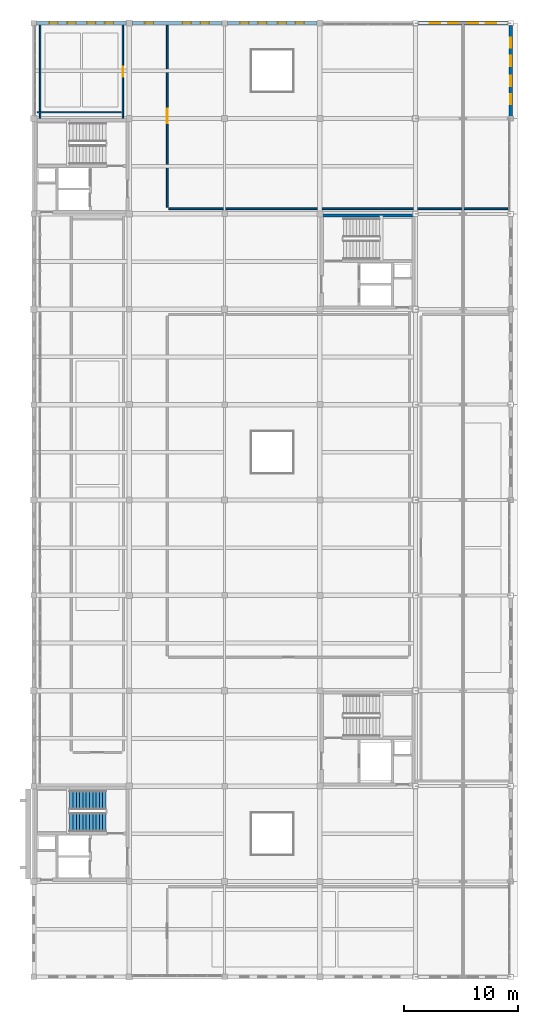
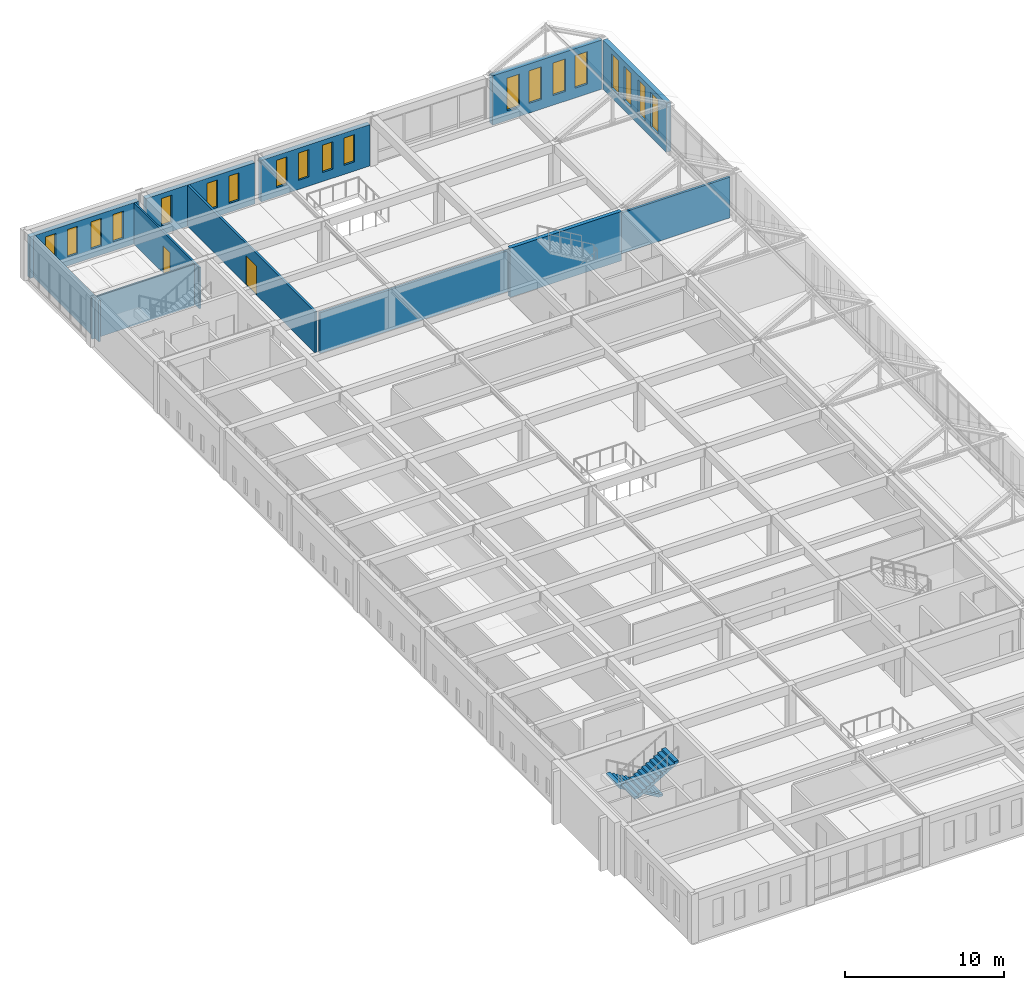
# One storey, part 32 of 36: 19 windows, 11 walls, 2 doors, 2 stair flights, 21 openings, 1 element without a shape of its own.
"""IFC4 building model written with IfcOpenShell, lengths in metres."""

from ifc_helpers import new_model, si_unit, direction, frame, frame_2d, origin, place, context, subcontext, project, spatial, polyline, rectangle, outline, extrude, material, layer, layer_set, type_object, element, fill, aggregate, save


model = new_model("IFC4")

# Units and contexts
model_context = context("Model", 3, precision=1e-05, world=origin(), true_north=direction((0.0, 1.0)))
body_context = subcontext(model_context, "Body", "Model", "MODEL_VIEW")
ifc_project = project(units=[si_unit("LENGTHUNIT", "METRE"), si_unit("AREAUNIT", "SQUARE_METRE"), si_unit("VOLUMEUNIT", "CUBIC_METRE"), si_unit("PLANEANGLEUNIT", "RADIAN"), si_unit("MASSUNIT", "GRAM", prefix="KILO")], contexts=[model_context])

# Site, building, storey
site_placement = place(None, origin())
site = spatial("IfcSite", under=ifc_project, at=site_placement, CompositionType="ELEMENT")
building_placement = place(site_placement, origin())
building = spatial("IfcBuilding", under=site, at=building_placement, Name="Kveldsbrygga Polytechnic", CompositionType="ELEMENT")
storey_placement = place(building_placement, frame((0.0, 0.0, 22.10009765625)))
storey = spatial("IfcBuildingStorey", under=building, at=storey_placement, Name="L05", CompositionType="ELEMENT", Elevation=22.10009765625)

# Wall, openings, windows
ifc_material_1 = material(Name="Fired clay brick masonry M10", Category="masonry")
ifc_layer_1 = layer(ifc_material_1, 0.340087890625)
ifc_layer_set_1 = layer_set([ifc_layer_1], Name="Fired clay brick masonry M10")
wall_type_1 = type_object("IfcWallType", Name="EW-BRICK-340", PredefinedType="SOLIDWALL", material=ifc_layer_set_1)
wall_1_placement = place(storey_placement, frame((126.235107421875, 100.800048828125, 0.0), z_axis=(0.0, 0.0, 1.0), x_axis=(1.0, 0.0, 0.0)))
wall_1 = element("IfcWall", 1, at=wall_1_placement, inside=storey, type_object=wall_type_1, Name="Exterior Brick Wall EW-L05-X-15-12", PredefinedType="SOLIDWALL", context=body_context, shape_type="SweptSolid", body=[
    extrude(rectangle(XDim=7.90478515625, YDim=0.340087890625, at=frame_2d((3.952392578125, 0.0))), origin(), (0.0, 0.0, 1.0), 3.179931640625),
])
opening_1_placement = place(wall_1_placement, frame((1.126953125, 0.0, 0.699951171875)))
opening_1 = element("IfcOpeningElement", 2, at=opening_1_placement, cuts=wall_1, Name="Opening W-27", PredefinedType="OPENING", context=body_context, shape_type="SweptSolid", body=[
    extrude(rectangle(XDim=0.75, YDim=2.10009765625, at=frame_2d((0.375, 1.050048828125))), frame((0.0, 0.18017578125, 0.0), z_axis=(0.0, -1.0, 0.0), x_axis=(1.0, 0.0, 0.0)), (0.0, 0.0, 1.0), 0.360107421875),
])
opening_2_placement = place(wall_1_placement, frame((2.7080078125, 0.0, 0.699951171875)))
opening_2 = element("IfcOpeningElement", 3, at=opening_2_placement, cuts=wall_1, Name="Opening W-27", PredefinedType="OPENING", context=body_context, shape_type="SweptSolid", body=[
    extrude(rectangle(XDim=0.75, YDim=2.10009765625, at=frame_2d((0.375, 1.050048828125))), frame((0.0, 0.18017578125, 0.0), z_axis=(0.0, -1.0, 0.0), x_axis=(1.0, 0.0, 0.0)), (0.0, 0.0, 1.0), 0.360107421875),
])
opening_3_placement = place(wall_1_placement, frame((4.447021484375, 0.0, 0.699951171875)))
opening_3 = element("IfcOpeningElement", 4, at=opening_3_placement, cuts=wall_1, Name="Opening W-27", PredefinedType="OPENING", context=body_context, shape_type="SweptSolid", body=[
    extrude(rectangle(XDim=0.75, YDim=2.10009765625, at=frame_2d((0.375, 1.050048828125))), frame((0.0, 0.18017578125, 0.0), z_axis=(0.0, -1.0, 0.0), x_axis=(1.0, 0.0, 0.0)), (0.0, 0.0, 1.0), 0.360107421875),
])
opening_4_placement = place(wall_1_placement, frame((6.028076171875, 0.0, 0.699951171875)))
opening_4 = element("IfcOpeningElement", 5, at=opening_4_placement, cuts=wall_1, Name="Opening W-27", PredefinedType="OPENING", context=body_context, shape_type="SweptSolid", body=[
    extrude(rectangle(XDim=0.75, YDim=2.10009765625, at=frame_2d((0.375, 1.050048828125))), frame((0.0, 0.18017578125, 0.0), z_axis=(0.0, -1.0, 0.0), x_axis=(1.0, 0.0, 0.0)), (0.0, 0.0, 1.0), 0.360107421875),
])
ifc_material_2 = material(Name="Insulated triple low-E glass", Category="glass")
window_type_1 = type_object("IfcWindowType", Name="WN-ATTIC-075x210", PartitioningType="DOUBLE_PANEL_VERTICAL", PredefinedType="WINDOW", material=ifc_material_2)
window_1_placement = place(opening_1_placement, origin())
window_1 = element("IfcWindow", 6, at=window_1_placement, inside=storey, type_object=window_type_1, Name="Gothic Lancet Window WIN-L05-X-15-12-1", OverallHeight=2.10009765625, OverallWidth=0.75, PartitioningType="DOUBLE_PANEL_VERTICAL", PredefinedType="WINDOW", context=body_context, shape_type="SweptSolid", body=[
    extrude(rectangle(XDim=0.75, YDim=2.10009765625, at=frame_2d((0.375, 1.050048828125))), frame((0.0, 0.030029296875, 0.0), z_axis=(0.0, -1.0, 0.0), x_axis=(1.0, 0.0, 0.0)), (0.0, 0.0, 1.0), 0.06005859375),
])
fill(opening_1, window_1)
window_2_placement = place(opening_2_placement, origin())
window_2 = element("IfcWindow", 7, at=window_2_placement, inside=storey, type_object=window_type_1, Name="Gothic Lancet Window WIN-L05-X-15-12-2", OverallHeight=2.10009765625, OverallWidth=0.75, PartitioningType="DOUBLE_PANEL_VERTICAL", PredefinedType="WINDOW", context=body_context, shape_type="SweptSolid", body=[
    extrude(rectangle(XDim=0.75, YDim=2.10009765625, at=frame_2d((0.375, 1.050048828125))), frame((0.0, 0.030029296875, 0.0), z_axis=(0.0, -1.0, 0.0), x_axis=(1.0, 0.0, 0.0)), (0.0, 0.0, 1.0), 0.06005859375),
])
fill(opening_2, window_2)
window_3_placement = place(opening_3_placement, origin())
window_3 = element("IfcWindow", 8, at=window_3_placement, inside=storey, type_object=window_type_1, Name="Gothic Lancet Window WIN-L05-X-15-12-3", OverallHeight=2.10009765625, OverallWidth=0.75, PartitioningType="DOUBLE_PANEL_VERTICAL", PredefinedType="WINDOW", context=body_context, shape_type="SweptSolid", body=[
    extrude(rectangle(XDim=0.75, YDim=2.10009765625, at=frame_2d((0.375, 1.050048828125))), frame((0.0, 0.030029296875, 0.0), z_axis=(0.0, -1.0, 0.0), x_axis=(1.0, 0.0, 0.0)), (0.0, 0.0, 1.0), 0.06005859375),
])
fill(opening_3, window_3)
window_4_placement = place(opening_4_placement, origin())
window_4 = element("IfcWindow", 9, at=window_4_placement, inside=storey, type_object=window_type_1, Name="Gothic Lancet Window WIN-L05-X-15-12-4", OverallHeight=2.10009765625, OverallWidth=0.75, PartitioningType="DOUBLE_PANEL_VERTICAL", PredefinedType="WINDOW", context=body_context, shape_type="SweptSolid", body=[
    extrude(rectangle(XDim=0.75, YDim=2.10009765625, at=frame_2d((0.375, 1.050048828125))), frame((0.0, 0.030029296875, 0.0), z_axis=(0.0, -1.0, 0.0), x_axis=(1.0, 0.0, 0.0)), (0.0, 0.0, 1.0), 0.06005859375),
])
fill(opening_4, window_4)

wall_2_placement = place(storey_placement, frame((134.659912109375, 100.800048828125, 0.0), z_axis=(0.0, 0.0, 1.0), x_axis=(1.0, 0.0, 0.0)))
wall_2 = element("IfcWall", 10, at=wall_2_placement, inside=storey, type_object=wall_type_1, Name="Exterior Brick Wall EW-L05-X-16-12", PredefinedType="SOLIDWALL", context=body_context, shape_type="SweptSolid", body=[
    extrude(rectangle(XDim=7.905029296875, YDim=0.340087890625, at=frame_2d((3.95263671875, 0.0))), origin(), (0.0, 0.0, 1.0), 3.179931640625),
])
opening_5_placement = place(wall_2_placement, frame((1.126953125, 0.0, 0.699951171875)))
opening_5 = element("IfcOpeningElement", 11, at=opening_5_placement, cuts=wall_2, Name="Opening W-27", PredefinedType="OPENING", context=body_context, shape_type="SweptSolid", body=[
    extrude(rectangle(XDim=0.75, YDim=2.10009765625, at=frame_2d((0.375, 1.050048828125))), frame((0.0, 0.18017578125, 0.0), z_axis=(0.0, -1.0, 0.0), x_axis=(1.0, 0.0, 0.0)), (0.0, 0.0, 1.0), 0.360107421875),
])
opening_6_placement = place(wall_2_placement, frame((4.447021484375, 0.0, 0.699951171875)))
opening_6 = element("IfcOpeningElement", 12, at=opening_6_placement, cuts=wall_2, Name="Opening W-27", PredefinedType="OPENING", context=body_context, shape_type="SweptSolid", body=[
    extrude(rectangle(XDim=0.75, YDim=2.10009765625, at=frame_2d((0.375, 1.050048828125))), frame((0.0, 0.18017578125, 0.0), z_axis=(0.0, -1.0, 0.0), x_axis=(1.0, 0.0, 0.0)), (0.0, 0.0, 1.0), 0.360107421875),
])
opening_7_placement = place(wall_2_placement, frame((6.028076171875, 0.0, 0.699951171875)))
opening_7 = element("IfcOpeningElement", 13, at=opening_7_placement, cuts=wall_2, Name="Opening W-27", PredefinedType="OPENING", context=body_context, shape_type="SweptSolid", body=[
    extrude(rectangle(XDim=0.75, YDim=2.10009765625, at=frame_2d((0.375, 1.050048828125))), frame((0.0, 0.18017578125, 0.0), z_axis=(0.0, -1.0, 0.0), x_axis=(1.0, 0.0, 0.0)), (0.0, 0.0, 1.0), 0.360107421875),
])
window_5_placement = place(opening_5_placement, origin())
window_5 = element("IfcWindow", 14, at=window_5_placement, inside=storey, type_object=window_type_1, Name="Gothic Lancet Window WIN-L05-X-16-12-1", OverallHeight=2.10009765625, OverallWidth=0.75, PartitioningType="DOUBLE_PANEL_VERTICAL", PredefinedType="WINDOW", context=body_context, shape_type="SweptSolid", body=[
    extrude(rectangle(XDim=0.75, YDim=2.10009765625, at=frame_2d((0.375, 1.050048828125))), frame((0.0, 0.030029296875, 0.0), z_axis=(0.0, -1.0, 0.0), x_axis=(1.0, 0.0, 0.0)), (0.0, 0.0, 1.0), 0.06005859375),
])
fill(opening_5, window_5)
window_6_placement = place(opening_6_placement, origin())
window_6 = element("IfcWindow", 15, at=window_6_placement, inside=storey, type_object=window_type_1, Name="Gothic Lancet Window WIN-L05-X-16-12-3", OverallHeight=2.10009765625, OverallWidth=0.75, PartitioningType="DOUBLE_PANEL_VERTICAL", PredefinedType="WINDOW", context=body_context, shape_type="SweptSolid", body=[
    extrude(rectangle(XDim=0.75, YDim=2.10009765625, at=frame_2d((0.375, 1.050048828125))), frame((0.0, 0.030029296875, 0.0), z_axis=(0.0, -1.0, 0.0), x_axis=(1.0, 0.0, 0.0)), (0.0, 0.0, 1.0), 0.06005859375),
])
fill(opening_6, window_6)
window_7_placement = place(opening_7_placement, origin())
window_7 = element("IfcWindow", 16, at=window_7_placement, inside=storey, type_object=window_type_1, Name="Gothic Lancet Window WIN-L05-X-16-12-4", OverallHeight=2.10009765625, OverallWidth=0.75, PartitioningType="DOUBLE_PANEL_VERTICAL", PredefinedType="WINDOW", context=body_context, shape_type="SweptSolid", body=[
    extrude(rectangle(XDim=0.75, YDim=2.10009765625, at=frame_2d((0.375, 1.050048828125))), frame((0.0, 0.030029296875, 0.0), z_axis=(0.0, -1.0, 0.0), x_axis=(1.0, 0.0, 0.0)), (0.0, 0.0, 1.0), 0.06005859375),
])
fill(opening_7, window_7)

wall_3_placement = place(storey_placement, frame((143.034912109375, 100.800048828125, 0.0), z_axis=(0.0, 0.0, 1.0), x_axis=(1.0, 0.0, 0.0)))
wall_3 = element("IfcWall", 17, at=wall_3_placement, inside=storey, type_object=wall_type_1, Name="Exterior Brick Wall EW-L05-X-17-12", PredefinedType="SOLIDWALL", context=body_context, shape_type="SweptSolid", body=[
    extrude(rectangle(XDim=7.905029296875, YDim=0.340087890625, at=frame_2d((3.95263671875, 0.0))), origin(), (0.0, 0.0, 1.0), 3.179931640625),
])
opening_8_placement = place(wall_3_placement, frame((1.126953125, 0.0, 0.699951171875)))
opening_8 = element("IfcOpeningElement", 18, at=opening_8_placement, cuts=wall_3, Name="Opening W-27", PredefinedType="OPENING", context=body_context, shape_type="SweptSolid", body=[
    extrude(rectangle(XDim=0.75, YDim=2.10009765625, at=frame_2d((0.375, 1.050048828125))), frame((0.0, 0.18017578125, 0.0), z_axis=(0.0, -1.0, 0.0), x_axis=(1.0, 0.0, 0.0)), (0.0, 0.0, 1.0), 0.360107421875),
])
opening_9_placement = place(wall_3_placement, frame((2.7080078125, 0.0, 0.699951171875)))
opening_9 = element("IfcOpeningElement", 19, at=opening_9_placement, cuts=wall_3, Name="Opening W-27", PredefinedType="OPENING", context=body_context, shape_type="SweptSolid", body=[
    extrude(rectangle(XDim=0.75, YDim=2.10009765625, at=frame_2d((0.375, 1.050048828125))), frame((0.0, 0.18017578125, 0.0), z_axis=(0.0, -1.0, 0.0), x_axis=(1.0, 0.0, 0.0)), (0.0, 0.0, 1.0), 0.360107421875),
])
opening_10_placement = place(wall_3_placement, frame((4.447021484375, 0.0, 0.699951171875)))
opening_10 = element("IfcOpeningElement", 20, at=opening_10_placement, cuts=wall_3, Name="Opening W-27", PredefinedType="OPENING", context=body_context, shape_type="SweptSolid", body=[
    extrude(rectangle(XDim=0.75, YDim=2.10009765625, at=frame_2d((0.375, 1.050048828125))), frame((0.0, 0.18017578125, 0.0), z_axis=(0.0, -1.0, 0.0), x_axis=(1.0, 0.0, 0.0)), (0.0, 0.0, 1.0), 0.360107421875),
])
opening_11_placement = place(wall_3_placement, frame((6.028076171875, 0.0, 0.699951171875)))
opening_11 = element("IfcOpeningElement", 21, at=opening_11_placement, cuts=wall_3, Name="Opening W-27", PredefinedType="OPENING", context=body_context, shape_type="SweptSolid", body=[
    extrude(rectangle(XDim=0.75, YDim=2.10009765625, at=frame_2d((0.375, 1.050048828125))), frame((0.0, 0.18017578125, 0.0), z_axis=(0.0, -1.0, 0.0), x_axis=(1.0, 0.0, 0.0)), (0.0, 0.0, 1.0), 0.360107421875),
])
window_8_placement = place(opening_8_placement, origin())
window_8 = element("IfcWindow", 22, at=window_8_placement, inside=storey, type_object=window_type_1, Name="Gothic Lancet Window WIN-L05-X-17-12-1", OverallHeight=2.10009765625, OverallWidth=0.75, PartitioningType="DOUBLE_PANEL_VERTICAL", PredefinedType="WINDOW", context=body_context, shape_type="SweptSolid", body=[
    extrude(rectangle(XDim=0.75, YDim=2.10009765625, at=frame_2d((0.375, 1.050048828125))), frame((0.0, 0.030029296875, 0.0), z_axis=(0.0, -1.0, 0.0), x_axis=(1.0, 0.0, 0.0)), (0.0, 0.0, 1.0), 0.06005859375),
])
fill(opening_8, window_8)
window_9_placement = place(opening_9_placement, origin())
window_9 = element("IfcWindow", 23, at=window_9_placement, inside=storey, type_object=window_type_1, Name="Gothic Lancet Window WIN-L05-X-17-12-2", OverallHeight=2.10009765625, OverallWidth=0.75, PartitioningType="DOUBLE_PANEL_VERTICAL", PredefinedType="WINDOW", context=body_context, shape_type="SweptSolid", body=[
    extrude(rectangle(XDim=0.75, YDim=2.10009765625, at=frame_2d((0.375, 1.050048828125))), frame((0.0, 0.030029296875, 0.0), z_axis=(0.0, -1.0, 0.0), x_axis=(1.0, 0.0, 0.0)), (0.0, 0.0, 1.0), 0.06005859375),
])
fill(opening_9, window_9)
window_10_placement = place(opening_10_placement, origin())
window_10 = element("IfcWindow", 24, at=window_10_placement, inside=storey, type_object=window_type_1, Name="Gothic Lancet Window WIN-L05-X-17-12-3", OverallHeight=2.10009765625, OverallWidth=0.75, PartitioningType="DOUBLE_PANEL_VERTICAL", PredefinedType="WINDOW", context=body_context, shape_type="SweptSolid", body=[
    extrude(rectangle(XDim=0.75, YDim=2.10009765625, at=frame_2d((0.375, 1.050048828125))), frame((0.0, 0.030029296875, 0.0), z_axis=(0.0, -1.0, 0.0), x_axis=(1.0, 0.0, 0.0)), (0.0, 0.0, 1.0), 0.06005859375),
])
fill(opening_10, window_10)
window_11_placement = place(opening_11_placement, origin())
window_11 = element("IfcWindow", 25, at=window_11_placement, inside=storey, type_object=window_type_1, Name="Gothic Lancet Window WIN-L05-X-17-12-4", OverallHeight=2.10009765625, OverallWidth=0.75, PartitioningType="DOUBLE_PANEL_VERTICAL", PredefinedType="WINDOW", context=body_context, shape_type="SweptSolid", body=[
    extrude(rectangle(XDim=0.75, YDim=2.10009765625, at=frame_2d((0.375, 1.050048828125))), frame((0.0, 0.030029296875, 0.0), z_axis=(0.0, -1.0, 0.0), x_axis=(1.0, 0.0, 0.0)), (0.0, 0.0, 1.0), 0.06005859375),
])
fill(opening_11, window_11)

wall_4_placement = place(storey_placement, frame((159.8349609375, 100.800048828125, 0.0), z_axis=(0.0, 0.0, 1.0), x_axis=(1.0, 0.0, 0.0)))
wall_4 = element("IfcWall", 26, at=wall_4_placement, inside=storey, type_object=wall_type_1, Name="Exterior Brick Wall EW-L05-X-19-12", PredefinedType="SOLIDWALL", context=body_context, shape_type="SweptSolid", body=[
    extrude(rectangle(XDim=7.955078125, YDim=0.340087890625, at=frame_2d((3.9775390625, 0.0))), origin(), (0.0, 0.0, 1.0), 3.77978515625),
])
opening_12_placement = place(wall_4_placement, frame((1.051513671875, 0.0, 0.75)))
opening_12 = element("IfcOpeningElement", 27, at=opening_12_placement, cuts=wall_4, Name="Opening W-22", PredefinedType="OPENING", context=body_context, shape_type="SweptSolid", body=[
    extrude(rectangle(XDim=0.919921875, YDim=2.5, at=frame_2d((0.4599609375, 1.25))), frame((0.0, 0.18017578125, 0.0), z_axis=(0.0, -1.0, 0.0), x_axis=(1.0, 0.0, 0.0)), (0.0, 0.0, 1.0), 0.360107421875),
])
opening_13_placement = place(wall_4_placement, frame((2.642333984375, 0.0, 0.75)))
opening_13 = element("IfcOpeningElement", 28, at=opening_13_placement, cuts=wall_4, Name="Opening W-22", PredefinedType="OPENING", context=body_context, shape_type="SweptSolid", body=[
    extrude(rectangle(XDim=0.919921875, YDim=2.5, at=frame_2d((0.4599609375, 1.25))), frame((0.0, 0.18017578125, 0.0), z_axis=(0.0, -1.0, 0.0), x_axis=(1.0, 0.0, 0.0)), (0.0, 0.0, 1.0), 0.360107421875),
])
opening_14_placement = place(wall_4_placement, frame((4.392578125, 0.0, 0.75)))
opening_14 = element("IfcOpeningElement", 29, at=opening_14_placement, cuts=wall_4, Name="Opening W-22", PredefinedType="OPENING", context=body_context, shape_type="SweptSolid", body=[
    extrude(rectangle(XDim=0.919921875, YDim=2.5, at=frame_2d((0.4599609375, 1.25))), frame((0.0, 0.18017578125, 0.0), z_axis=(0.0, -1.0, 0.0), x_axis=(1.0, 0.0, 0.0)), (0.0, 0.0, 1.0), 0.360107421875),
])
opening_15_placement = place(wall_4_placement, frame((5.983642578125, 0.0, 0.75)))
opening_15 = element("IfcOpeningElement", 30, at=opening_15_placement, cuts=wall_4, Name="Opening W-22", PredefinedType="OPENING", context=body_context, shape_type="SweptSolid", body=[
    extrude(rectangle(XDim=0.919921875, YDim=2.5, at=frame_2d((0.4599609375, 1.25))), frame((0.0, 0.18017578125, 0.0), z_axis=(0.0, -1.0, 0.0), x_axis=(1.0, 0.0, 0.0)), (0.0, 0.0, 1.0), 0.360107421875),
])
window_type_2 = type_object("IfcWindowType", Name="WN-LANC-092x250", PartitioningType="DOUBLE_PANEL_VERTICAL", PredefinedType="WINDOW", material=ifc_material_2)
window_12_placement = place(opening_12_placement, origin())
window_12 = element("IfcWindow", 31, at=window_12_placement, inside=storey, type_object=window_type_2, Name="Gothic Lancet Window WIN-L05-X-19-12-1", OverallHeight=2.5, OverallWidth=0.919921875, PartitioningType="DOUBLE_PANEL_VERTICAL", PredefinedType="WINDOW", context=body_context, shape_type="SweptSolid", body=[
    extrude(rectangle(XDim=0.919921875, YDim=2.5, at=frame_2d((0.4599609375, 1.25))), frame((0.0, 0.030029296875, 0.0), z_axis=(0.0, -1.0, 0.0), x_axis=(1.0, 0.0, 0.0)), (0.0, 0.0, 1.0), 0.06005859375),
])
fill(opening_12, window_12)
window_13_placement = place(opening_13_placement, origin())
window_13 = element("IfcWindow", 32, at=window_13_placement, inside=storey, type_object=window_type_2, Name="Gothic Lancet Window WIN-L05-X-19-12-2", OverallHeight=2.5, OverallWidth=0.919921875, PartitioningType="DOUBLE_PANEL_VERTICAL", PredefinedType="WINDOW", context=body_context, shape_type="SweptSolid", body=[
    extrude(rectangle(XDim=0.919921875, YDim=2.5, at=frame_2d((0.4599609375, 1.25))), frame((0.0, 0.030029296875, 0.0), z_axis=(0.0, -1.0, 0.0), x_axis=(1.0, 0.0, 0.0)), (0.0, 0.0, 1.0), 0.06005859375),
])
fill(opening_13, window_13)
window_14_placement = place(opening_14_placement, origin())
window_14 = element("IfcWindow", 33, at=window_14_placement, inside=storey, type_object=window_type_2, Name="Gothic Lancet Window WIN-L05-X-19-12-3", OverallHeight=2.5, OverallWidth=0.919921875, PartitioningType="DOUBLE_PANEL_VERTICAL", PredefinedType="WINDOW", context=body_context, shape_type="SweptSolid", body=[
    extrude(rectangle(XDim=0.919921875, YDim=2.5, at=frame_2d((0.4599609375, 1.25))), frame((0.0, 0.030029296875, 0.0), z_axis=(0.0, -1.0, 0.0), x_axis=(1.0, 0.0, 0.0)), (0.0, 0.0, 1.0), 0.06005859375),
])
fill(opening_14, window_14)
window_15_placement = place(opening_15_placement, origin())
window_15 = element("IfcWindow", 34, at=window_15_placement, inside=storey, type_object=window_type_2, Name="Gothic Lancet Window WIN-L05-X-19-12-4", OverallHeight=2.5, OverallWidth=0.919921875, PartitioningType="DOUBLE_PANEL_VERTICAL", PredefinedType="WINDOW", context=body_context, shape_type="SweptSolid", body=[
    extrude(rectangle(XDim=0.919921875, YDim=2.5, at=frame_2d((0.4599609375, 1.25))), frame((0.0, 0.030029296875, 0.0), z_axis=(0.0, -1.0, 0.0), x_axis=(1.0, 0.0, 0.0)), (0.0, 0.0, 1.0), 0.06005859375),
])
fill(opening_15, window_15)

wall_5_placement = place(storey_placement, frame((168.0, 92.5849609375, 0.0), z_axis=(0.0, 0.0, 1.0), x_axis=(0.0, 1.0, 0.0)))
wall_5 = element("IfcWall", 35, at=wall_5_placement, inside=storey, type_object=wall_type_1, Name="Exterior Brick Wall EW-L05-Y-20-11", PredefinedType="SOLIDWALL", context=body_context, shape_type="SweptSolid", body=[
    extrude(rectangle(XDim=8.005126953125, YDim=0.340087890625, at=frame_2d((4.00244140625, 0.0))), origin(), (0.0, 0.0, 1.0), 3.77978515625),
])
opening_16_placement = place(wall_5_placement, frame((1.071044921875, 0.0, 0.75)))
opening_16 = element("IfcOpeningElement", 36, at=opening_16_placement, cuts=wall_5, Name="Opening W-20", PredefinedType="OPENING", context=body_context, shape_type="SweptSolid", body=[
    extrude(rectangle(XDim=0.89990234375, YDim=2.64990234375, at=frame_2d((0.449951171875, 1.324951171875))), frame((0.0, 0.18017578125, 0.0), z_axis=(0.0, -1.0, 0.0), x_axis=(1.0, 0.0, 0.0)), (0.0, 0.0, 1.0), 0.360107421875),
])
opening_17_placement = place(wall_5_placement, frame((2.671875, 0.0, 0.75)))
opening_17 = element("IfcOpeningElement", 37, at=opening_17_placement, cuts=wall_5, Name="Opening W-20", PredefinedType="OPENING", context=body_context, shape_type="SweptSolid", body=[
    extrude(rectangle(XDim=0.89990234375, YDim=2.64990234375, at=frame_2d((0.449951171875, 1.324951171875))), frame((0.0, 0.18017578125, 0.0), z_axis=(0.0, -1.0, 0.0), x_axis=(1.0, 0.0, 0.0)), (0.0, 0.0, 1.0), 0.360107421875),
])
opening_18_placement = place(wall_5_placement, frame((4.43310546875, 0.0, 0.75)))
opening_18 = element("IfcOpeningElement", 38, at=opening_18_placement, cuts=wall_5, Name="Opening W-20", PredefinedType="OPENING", context=body_context, shape_type="SweptSolid", body=[
    extrude(rectangle(XDim=0.89990234375, YDim=2.64990234375, at=frame_2d((0.449951171875, 1.324951171875))), frame((0.0, 0.18017578125, 0.0), z_axis=(0.0, -1.0, 0.0), x_axis=(1.0, 0.0, 0.0)), (0.0, 0.0, 1.0), 0.360107421875),
])
opening_19_placement = place(wall_5_placement, frame((6.033935546875, 0.0, 0.75)))
opening_19 = element("IfcOpeningElement", 39, at=opening_19_placement, cuts=wall_5, Name="Opening W-20", PredefinedType="OPENING", context=body_context, shape_type="SweptSolid", body=[
    extrude(rectangle(XDim=0.89990234375, YDim=2.64990234375, at=frame_2d((0.449951171875, 1.324951171875))), frame((0.0, 0.18017578125, 0.0), z_axis=(0.0, -1.0, 0.0), x_axis=(1.0, 0.0, 0.0)), (0.0, 0.0, 1.0), 0.360107421875),
])
window_type_3 = type_object("IfcWindowType", Name="WN-LANC-090x265", PartitioningType="DOUBLE_PANEL_VERTICAL", PredefinedType="WINDOW", material=ifc_material_2)
window_16_placement = place(opening_16_placement, origin())
window_16 = element("IfcWindow", 40, at=window_16_placement, inside=storey, type_object=window_type_3, Name="Gothic Lancet Window WIN-L05-Y-20-11-1", OverallHeight=2.64990234375, OverallWidth=0.89990234375, PartitioningType="DOUBLE_PANEL_VERTICAL", PredefinedType="WINDOW", context=body_context, shape_type="SweptSolid", body=[
    extrude(rectangle(XDim=0.89990234375, YDim=2.64990234375, at=frame_2d((0.449951171875, 1.324951171875))), frame((0.0, 0.030029296875, 0.0), z_axis=(0.0, -1.0, 0.0), x_axis=(1.0, 0.0, 0.0)), (0.0, 0.0, 1.0), 0.06005859375),
])
fill(opening_16, window_16)
window_17_placement = place(opening_17_placement, origin())
window_17 = element("IfcWindow", 41, at=window_17_placement, inside=storey, type_object=window_type_3, Name="Gothic Lancet Window WIN-L05-Y-20-11-2", OverallHeight=2.64990234375, OverallWidth=0.89990234375, PartitioningType="DOUBLE_PANEL_VERTICAL", PredefinedType="WINDOW", context=body_context, shape_type="SweptSolid", body=[
    extrude(rectangle(XDim=0.89990234375, YDim=2.64990234375, at=frame_2d((0.449951171875, 1.324951171875))), frame((0.0, 0.030029296875, 0.0), z_axis=(0.0, -1.0, 0.0), x_axis=(1.0, 0.0, 0.0)), (0.0, 0.0, 1.0), 0.06005859375),
])
fill(opening_17, window_17)
window_18_placement = place(opening_18_placement, origin())
window_18 = element("IfcWindow", 42, at=window_18_placement, inside=storey, type_object=window_type_3, Name="Gothic Lancet Window WIN-L05-Y-20-11-3", OverallHeight=2.64990234375, OverallWidth=0.89990234375, PartitioningType="DOUBLE_PANEL_VERTICAL", PredefinedType="WINDOW", context=body_context, shape_type="SweptSolid", body=[
    extrude(rectangle(XDim=0.89990234375, YDim=2.64990234375, at=frame_2d((0.449951171875, 1.324951171875))), frame((0.0, 0.030029296875, 0.0), z_axis=(0.0, -1.0, 0.0), x_axis=(1.0, 0.0, 0.0)), (0.0, 0.0, 1.0), 0.06005859375),
])
fill(opening_18, window_18)
window_19_placement = place(opening_19_placement, origin())
window_19 = element("IfcWindow", 43, at=window_19_placement, inside=storey, type_object=window_type_3, Name="Gothic Lancet Window WIN-L05-Y-20-11-4", OverallHeight=2.64990234375, OverallWidth=0.89990234375, PartitioningType="DOUBLE_PANEL_VERTICAL", PredefinedType="WINDOW", context=body_context, shape_type="SweptSolid", body=[
    extrude(rectangle(XDim=0.89990234375, YDim=2.64990234375, at=frame_2d((0.449951171875, 1.324951171875))), frame((0.0, 0.030029296875, 0.0), z_axis=(0.0, -1.0, 0.0), x_axis=(1.0, 0.0, 0.0)), (0.0, 0.0, 1.0), 0.06005859375),
])
fill(opening_19, window_19)

# Wall, opening, door
ifc_material_3 = material(Name="Moisture-resistant masonry M10", Category="masonry")
ifc_layer_2 = layer(ifc_material_3, 0.1298828125)
ifc_layer_set_2 = layer_set([ifc_layer_2], Name="Moisture-resistant masonry M10")
wall_type_2 = type_object("IfcWallType", Name="IW-SAN-130", PredefinedType="PARTITIONING", material=ifc_layer_set_2)
wall_6_placement = place(storey_placement, frame((133.85009765625, 92.429931640625, 0.0), z_axis=(0.0, 0.0, 1.0), x_axis=(0.0, 1.0, 0.0)))
wall_6 = element("IfcWall", 44, at=wall_6_placement, inside=storey, type_object=wall_type_2, Name="Partition Wall IW-SP-L05-WC1-E1", PredefinedType="PARTITIONING", context=body_context, shape_type="SweptSolid", body=[
    extrude(rectangle(XDim=8.190185546875, YDim=0.1298828125, at=frame_2d((4.09521484375, 0.0))), origin(), (0.0, 0.0, 1.0), 3.159912109375),
])
opening_20_placement = place(wall_6_placement, frame((3.64501953125, 0.0, 0.0)))
opening_20 = element("IfcOpeningElement", 45, at=opening_20_placement, cuts=wall_6, Name="Opening ID-L05-098", PredefinedType="OPENING", context=body_context, shape_type="SweptSolid", body=[
    extrude(rectangle(XDim=0.89990234375, YDim=2.10009765625, at=frame_2d((0.449951171875, 1.050048828125))), frame((0.0, 0.074951171875, 0.0), z_axis=(0.0, -1.0, 0.0), x_axis=(1.0, 0.0, 0.0)), (0.0, 0.0, 1.0), 0.14990234375),
])
ifc_material_4 = material(Name="Acoustic oak timber", Category="wood")
door_type_1 = type_object("IfcDoorType", Name="ID-SAN-090x210", OperationType="NOTDEFINED", PredefinedType="DOOR", material=ifc_material_4)
door_1_placement = place(opening_20_placement, origin())
door_1 = element("IfcDoor", 46, at=door_1_placement, inside=storey, type_object=door_type_1, Name="Interior Door ID-L05-098", OperationType="SINGLE_SWING_LEFT", OverallHeight=2.10009765625, OverallWidth=0.89990234375, PredefinedType="DOOR", context=body_context, shape_type="SweptSolid", body=[
    extrude(rectangle(XDim=0.89990234375, YDim=2.10009765625, at=frame_2d((0.449951171875, 1.050048828125))), frame((0.0, 0.02490234375, 0.0), z_axis=(0.0, -1.0, 0.0), x_axis=(1.0, 0.0, 0.0)), (0.0, 0.0, 1.0), 0.050048828125),
])
fill(opening_20, door_1)

# Walls
wall_7_placement = place(storey_placement, frame((126.280029296875, 92.949951171875, 0.0), z_axis=(0.0, 0.0, 1.0), x_axis=(1.0, 0.0, 0.0)))
element("IfcWall", 47, at=wall_7_placement, inside=storey, type_object=wall_type_2, Name="Partition Wall IW-SP-L05-WC1-S1", PredefinedType="PARTITIONING", context=body_context, shape_type="SweptSolid", body=[
    extrude(rectangle(XDim=7.419921875, YDim=0.1298828125, at=frame_2d((3.7099609375, 0.0))), origin(), (0.0, 0.0, 1.0), 3.179931640625),
])
wall_8_placement = place(storey_placement, frame((126.550048828125, 92.429931640625, 0.0), z_axis=(0.0, 0.0, 1.0), x_axis=(0.0, 1.0, 0.0)))
element("IfcWall", 48, at=wall_8_placement, inside=storey, type_object=wall_type_2, Name="Partition Wall IW-SP-L05-WC1-W1", PredefinedType="PARTITIONING", context=body_context, shape_type="SweptSolid", body=[
    extrude(rectangle(XDim=8.190185546875, YDim=0.1298828125, at=frame_2d((4.09521484375, 0.0))), origin(), (0.0, 0.0, 1.0), 3.159912109375),
])

# Wall, opening, door
ifc_material_5 = material(Name="Gypsum acoustic stud partition")
ifc_layer_3 = layer(ifc_material_5, 0.159912109375)
ifc_layer_set_3 = layer_set([ifc_layer_3], Name="Gypsum acoustic stud partition")
wall_type_3 = type_object("IfcWallType", Name="IW-STD-160", PredefinedType="PARTITIONING", material=ifc_layer_set_3)
wall_9_placement = place(storey_placement, frame((137.75, 84.60009765625, 0.0), z_axis=(0.0, 0.0, 1.0), x_axis=(0.0, 1.0, 0.0)))
wall_9 = element("IfcWall", 49, at=wall_9_placement, inside=storey, type_object=wall_type_3, Name="Partition Wall IW-SP-L05-STD52-W1", PredefinedType="PARTITIONING", context=body_context, shape_type="SweptSolid", body=[
    extrude(rectangle(XDim=16.02001953125, YDim=0.159912109375, at=frame_2d((8.010009765625, 0.0))), origin(), (0.0, 0.0, 1.0), 3.159912109375),
])
opening_21_placement = place(wall_9_placement, frame((7.360107421875, 0.0, 0.0)))
opening_21 = element("IfcOpeningElement", 50, at=opening_21_placement, cuts=wall_9, Name="Opening ID-L05-097", PredefinedType="OPENING", context=body_context, shape_type="SweptSolid", body=[
    extrude(rectangle(XDim=1.300048828125, YDim=2.199951171875, at=frame_2d((0.64990234375, 1.10009765625))), frame((0.0, 0.08984375, 0.0), z_axis=(0.0, -1.0, 0.0), x_axis=(1.0, 0.0, 0.0)), (0.0, 0.0, 1.0), 0.179931640625),
])
door_type_2 = type_object("IfcDoorType", Name="ID-STD-130x220", OperationType="NOTDEFINED", PredefinedType="DOOR", material=ifc_material_4)
door_2_placement = place(opening_21_placement, origin())
door_2 = element("IfcDoor", 51, at=door_2_placement, inside=storey, type_object=door_type_2, Name="Interior Door ID-L05-097", OperationType="SINGLE_SWING_RIGHT", OverallHeight=2.199951171875, OverallWidth=1.300048828125, PredefinedType="DOOR", context=body_context, shape_type="SweptSolid", body=[
    extrude(rectangle(XDim=1.300048828125, YDim=2.199951171875, at=frame_2d((0.64990234375, 1.10009765625))), frame((0.0, 0.02490234375, 0.0), z_axis=(0.0, -1.0, 0.0), x_axis=(1.0, 0.0, 0.0)), (0.0, 0.0, 1.0), 0.050048828125),
])
fill(opening_21, door_2)

# Walls
wall_10_placement = place(storey_placement, frame((137.89990234375, 84.449951171875, 0.0), z_axis=(0.0, 0.0, 1.0), x_axis=(1.0, 0.0, 0.0)))
element("IfcWall", 52, at=wall_10_placement, inside=storey, type_object=wall_type_3, Name="Partition Wall IW-SP-L05-STD52-S1", PredefinedType="PARTITIONING", context=body_context, shape_type="SweptSolid", body=[
    extrude(rectangle(XDim=29.820068359375, YDim=0.159912109375, at=frame_2d((14.91015625, 0.0))), origin(), (0.0, 0.0, 1.0), 3.1298828125),
])
ifc_material_6 = material(Name="Concrete C45/55", Category="concrete")
ifc_layer_4 = layer(ifc_material_6, 0.280029296875)
ifc_layer_set_4 = layer_set([ifc_layer_4], Name="Concrete C45/55")
wall_type_4 = type_object("IfcWallType", Name="WL-CORE-280", PredefinedType="SHEAR", material=ifc_layer_set_4)
wall_11_placement = place(storey_placement, frame((151.35009765625, 83.85009765625, 0.0), z_axis=(0.0, 0.0, 1.0), x_axis=(1.0, 0.0, 0.0)))
element("IfcWall", 53, at=wall_11_placement, inside=storey, type_object=wall_type_4, Name="Core C4 Shear Wall C4-L05-SW-N", PredefinedType="SHEAR", context=body_context, shape_type="SweptSolid", body=[
    extrude(rectangle(XDim=8.099853515625, YDim=0.280029296875, at=frame_2d((4.0498046875, 0.0))), origin(), (0.0, 0.0, 1.0), 3.77978515625),
])

# Stair, stair flights
ifc_material_7 = material(Name="Concrete C35/45", Category="concrete")
stair_type = type_object("IfcStairType", Name="STR-CORE-408", PredefinedType="HALF_TURN_STAIR", material=ifc_material_7)
stair_placement = place(storey_placement, origin())
stair = element("IfcStair", 54, at=stair_placement, inside=storey, type_object=stair_type, Name="L05 Core C1 Escape Stair ST-1", PredefinedType="HALF_TURN_STAIR")
stair_flight_type = type_object("IfcStairFlightType", Name="SFL-CORE-12R", PredefinedType="STRAIGHT", material=ifc_material_7)
stair_flight_1_placement = place(storey_placement, frame((132.35009765625, 32.375, 0.0), z_axis=(0.0, 0.0, 1.0), x_axis=(-1.0, 0.0, 0.0)))
stair_flight_1 = element("IfcStairFlight", 55, at=stair_flight_1_placement, type_object=stair_flight_type, Name="ST-1 flight 1", NumberOfRisers=12, NumberOfTreads=11, PredefinedType="STRAIGHT", RiserHeight=0.17, TreadLength=0.29, context=body_context, shape_type="SweptSolid", body=[
    extrude(outline(polyline([(0.0, 0.0), (0.0, 0.169921875), (0.2900390625, 0.169921875), (0.2900390625, 0.340087890625), (0.580078125, 0.340087890625), (0.580078125, 0.510009765625), (0.8701171875, 0.510009765625), (0.8701171875, 0.679931640625), (1.159912109375, 0.679931640625), (1.159912109375, 0.85009765625), (1.449951171875, 0.85009765625), (1.449951171875, 1.02001953125), (1.739990234375, 1.02001953125), (1.739990234375, 1.18994140625), (2.030029296875, 1.18994140625), (2.030029296875, 1.360107421875), (2.320068359375, 1.360107421875), (2.320068359375, 1.530029296875), (2.610107421875, 1.530029296875), (2.610107421875, 1.699951171875), (2.89990234375, 1.699951171875), (2.89990234375, 1.8701171875), (3.18994140625, 1.8701171875), (3.18994140625, 2.0400390625), (3.18994140625, 1.6845703125), (0.316162109375, 0.0), (0.0, 0.0)])), frame((0.0, 0.824951171875, 0.0), z_axis=(0.0, -1.0, 0.0), x_axis=(1.0, 0.0, 0.0)), (0.0, 0.0, 1.0), 1.64990234375),
])
stair_flight_2_placement = place(storey_placement, frame((129.159912109375, 30.425048828125, 2.039794921875), z_axis=(0.0, 0.0, 1.0), x_axis=(1.0, 0.0, 0.0)))
stair_flight_2 = element("IfcStairFlight", 56, at=stair_flight_2_placement, type_object=stair_flight_type, Name="ST-1 flight 2", NumberOfRisers=12, NumberOfTreads=11, PredefinedType="STRAIGHT", RiserHeight=0.17, TreadLength=0.29, context=body_context, shape_type="SweptSolid", body=[
    extrude(outline(polyline([(0.0, 0.0), (0.0, 0.169921875), (0.2900390625, 0.169921875), (0.2900390625, 0.340087890625), (0.580078125, 0.340087890625), (0.580078125, 0.510009765625), (0.8701171875, 0.510009765625), (0.8701171875, 0.679931640625), (1.159912109375, 0.679931640625), (1.159912109375, 0.85009765625), (1.449951171875, 0.85009765625), (1.449951171875, 1.02001953125), (1.739990234375, 1.02001953125), (1.739990234375, 1.18994140625), (2.030029296875, 1.18994140625), (2.030029296875, 1.360107421875), (2.320068359375, 1.360107421875), (2.320068359375, 1.530029296875), (2.610107421875, 1.530029296875), (2.610107421875, 1.699951171875), (2.89990234375, 1.699951171875), (2.89990234375, 1.8701171875), (3.18994140625, 1.8701171875), (3.18994140625, 2.0400390625), (3.18994140625, 1.6845703125), (0.316162109375, 0.0), (0.0, 0.0)])), frame((0.0, 0.824951171875, 0.0), z_axis=(0.0, -1.0, 0.0), x_axis=(1.0, 0.0, 0.0)), (0.0, 0.0, 1.0), 1.64990234375),
])
aggregate(stair, [stair_flight_1, stair_flight_2])

save(model, "model.ifc")
